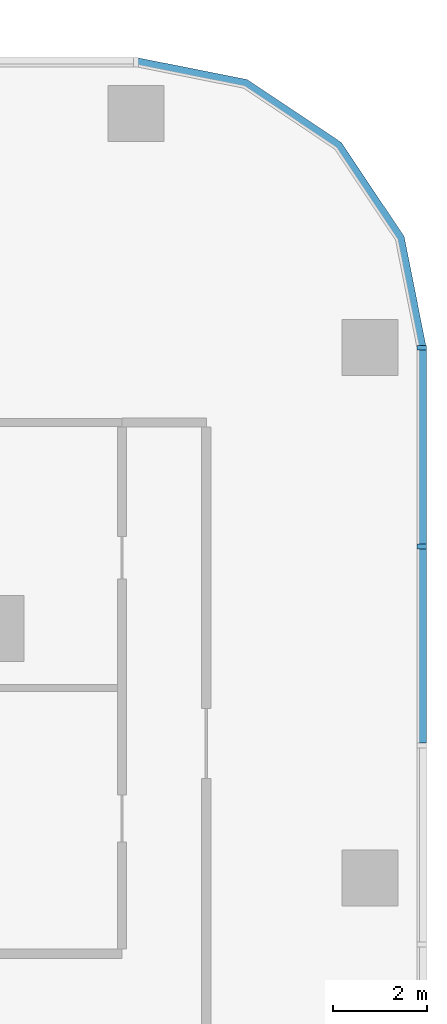
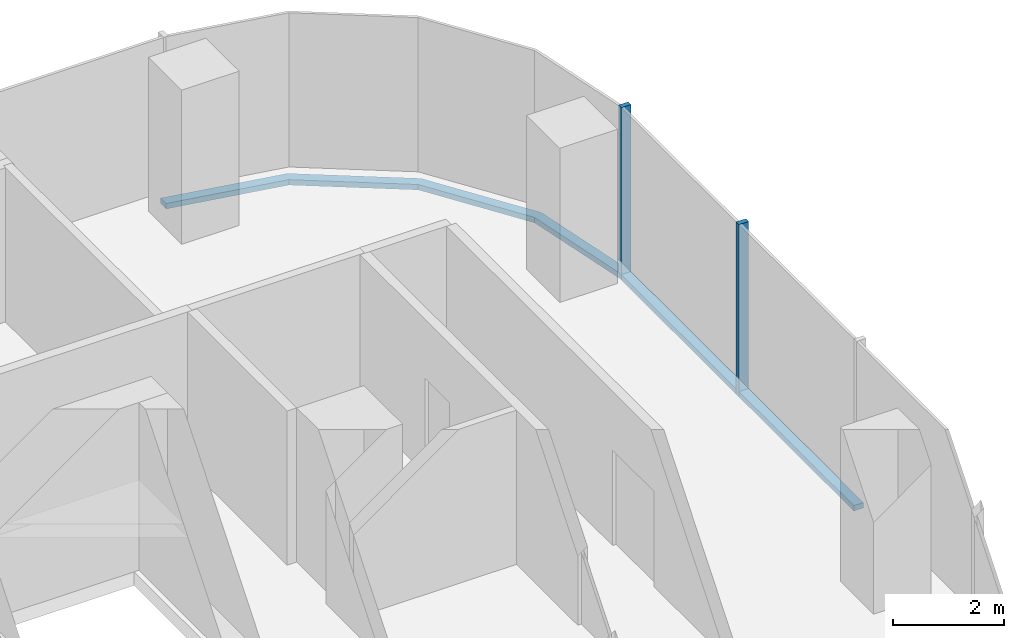
# One storey, part 5 of 14: 5 members, 2 elements without a shape of their own.
"""IFC4 building model written with IfcOpenShell, lengths in metres."""

from ifc_helpers import new_model, si_unit, direction, frame, origin, origin_2d, place, context, subcontext, project, spatial, polyline, rectangle, outline, extrude, material, material_profile, profile_set, type_object, element, aggregate, save


model = new_model("IFC4")

# Units and contexts
model_context = context("Model", 3, precision=1e-05, world=origin(), true_north=direction((0.0, 1.0)))
body_context = subcontext(model_context, "Body", "Model", "MODEL_VIEW")
ifc_project = project(units=[si_unit("LENGTHUNIT", "METRE"), si_unit("AREAUNIT", "SQUARE_METRE"), si_unit("VOLUMEUNIT", "CUBIC_METRE"), si_unit("PLANEANGLEUNIT", "RADIAN"), si_unit("MASSUNIT", "GRAM", prefix="KILO")], contexts=[model_context])

# Site, building, storey
site_placement = place(None, origin())
site = spatial("IfcSite", under=ifc_project, at=site_placement, CompositionType="ELEMENT")
building_placement = place(site_placement, origin())
building = spatial("IfcBuilding", under=site, at=building_placement, Name="Mopane Tessera Tower", CompositionType="ELEMENT")
storey_placement = place(building_placement, frame((0.0, 0.0, 201.0)))
storey = spatial("IfcBuildingStorey", under=building, at=storey_placement, Name="L42", CompositionType="ELEMENT", Elevation=201.0)

# Curtain wall, members
ifc_material_1 = material(Name="Aluminium frame", Category="aluminium")
curtain_wall_type = type_object("IfcCurtainWallType", Name="Unitised curtain wall", PredefinedType="NOTDEFINED", material=ifc_material_1)
curtain_wall_1_placement = place(storey_placement, origin())
curtain_wall_1 = element("IfcCurtainWall", 1, at=curtain_wall_1_placement, inside=storey, type_object=curtain_wall_type, Name="e:cw:L42:E:0", PredefinedType="NOTDEFINED")
ifc_material_2 = material(Name="Aluminium frame", Category="aluminium")
ifc_material_profile_1 = material_profile(ifc_material_2, rectangle(XDim=0.10009765625, YDim=0.199951171875, at=origin_2d()))
ifc_profile_set_1 = profile_set([ifc_material_profile_1], Name="Aluminium frame")
member_type_1 = type_object("IfcMemberType", Name="Aluminium mullion 100 x 200", PredefinedType="MULLION", material=ifc_profile_set_1)
member_1_placement = place(storey_placement, frame((26.300048828125, 12.75, -0.39990234375), z_axis=(0.0, 0.0, 1.0), x_axis=(0.0, 1.0, 0.0)))
member_1 = element("IfcMember", 2, at=member_1_placement, type_object=member_type_1, Name="e:cw:L42:E:0:mu7", PredefinedType="MULLION", context=body_context, shape_type="SweptSolid", body=[
    extrude(rectangle(XDim=0.10009765625, YDim=0.199951171875, at=origin_2d()), origin(), (0.0, 0.0, 1.0), 3.7998046875),
])
member_2_placement = place(storey_placement, frame((26.300048828125, 17.0, -0.39990234375), z_axis=(0.0, 0.0, 1.0), x_axis=(0.0, 1.0, 0.0)))
member_2 = element("IfcMember", 3, at=member_2_placement, type_object=member_type_1, Name="e:cw:L42:E:0:mu8", PredefinedType="MULLION", context=body_context, shape_type="SweptSolid", body=[
    extrude(rectangle(XDim=0.10009765625, YDim=0.199951171875, at=origin_2d()), origin(), (0.0, 0.0, 1.0), 3.7998046875),
])
ifc_material_3 = material(Name="Aluminium frame", Category="aluminium")
ifc_material_profile_2 = material_profile(ifc_material_3, rectangle(XDim=0.199951171875, YDim=0.1201171875, at=origin_2d()))
ifc_profile_set_2 = profile_set([ifc_material_profile_2], Name="Aluminium frame")
member_type_2 = type_object("IfcMemberType", Name="Aluminium transom 200 x 120", PredefinedType="USERDEFINED", material=ifc_profile_set_2)
member_3_placement = place(storey_placement, frame((26.300048828125, 8.550048828125, -0.340087890625), z_axis=(0.0, 1.0, 0.0), x_axis=(-1.0, 0.0, 0.0)))
member_3 = element("IfcMember", 4, at=member_3_placement, type_object=member_type_2, Name="e:cw:L42:E:0:tr6", ObjectType="TRANSOM", PredefinedType="USERDEFINED", context=body_context, shape_type="SweptSolid", body=[
    extrude(rectangle(XDim=0.199951171875, YDim=0.1201171875, at=origin_2d()), origin(), (0.0, 0.0, 1.0), 4.14990234375),
])
member_4_placement = place(storey_placement, frame((26.300048828125, 12.800048828125, -0.340087890625), z_axis=(0.0, 1.0, 0.0), x_axis=(-1.0, 0.0, 0.0)))
member_4 = element("IfcMember", 5, at=member_4_placement, type_object=member_type_2, Name="e:cw:L42:E:0:tr7", ObjectType="TRANSOM", PredefinedType="USERDEFINED", context=body_context, shape_type="SweptSolid", body=[
    extrude(rectangle(XDim=0.199951171875, YDim=0.1201171875, at=origin_2d()), origin(), (0.0, 0.0, 1.0), 4.14990234375),
])
aggregate(curtain_wall_1, [member_1, member_2, member_3, member_4])

# Curtain wall, member
curtain_wall_2_placement = place(storey_placement, origin())
curtain_wall_2 = element("IfcCurtainWall", 6, at=curtain_wall_2_placement, inside=storey, type_object=curtain_wall_type, Name="e:cw:L42:CE", PredefinedType="NOTDEFINED")
member_5_placement = place(storey_placement, frame((0.0, 0.0, -0.39990234375)))
member_5 = element("IfcMember", 7, at=member_5_placement, type_object=member_type_2, Name="e:cw:L42:CE:tr", ObjectType="TRANSOM", PredefinedType="USERDEFINED", context=body_context, shape_type="SweptSolid", body=[
    extrude(outline(polyline([(26.199951171875, 17.0), (25.7431640625, 19.296142578125), (24.442626953125, 21.24267578125), (22.49609375, 22.543212890625), (20.199951171875, 23.0), (20.199951171875, 23.199951171875), (22.57275390625, 22.72802734375), (24.583984375, 21.384033203125), (25.927978515625, 19.37255859375), (26.39990234375, 17.0), (26.199951171875, 17.0)])), origin(), (0.0, 0.0, 1.0), 0.119873046875),
])
aggregate(curtain_wall_2, [member_5])

save(model, "model.ifc")
